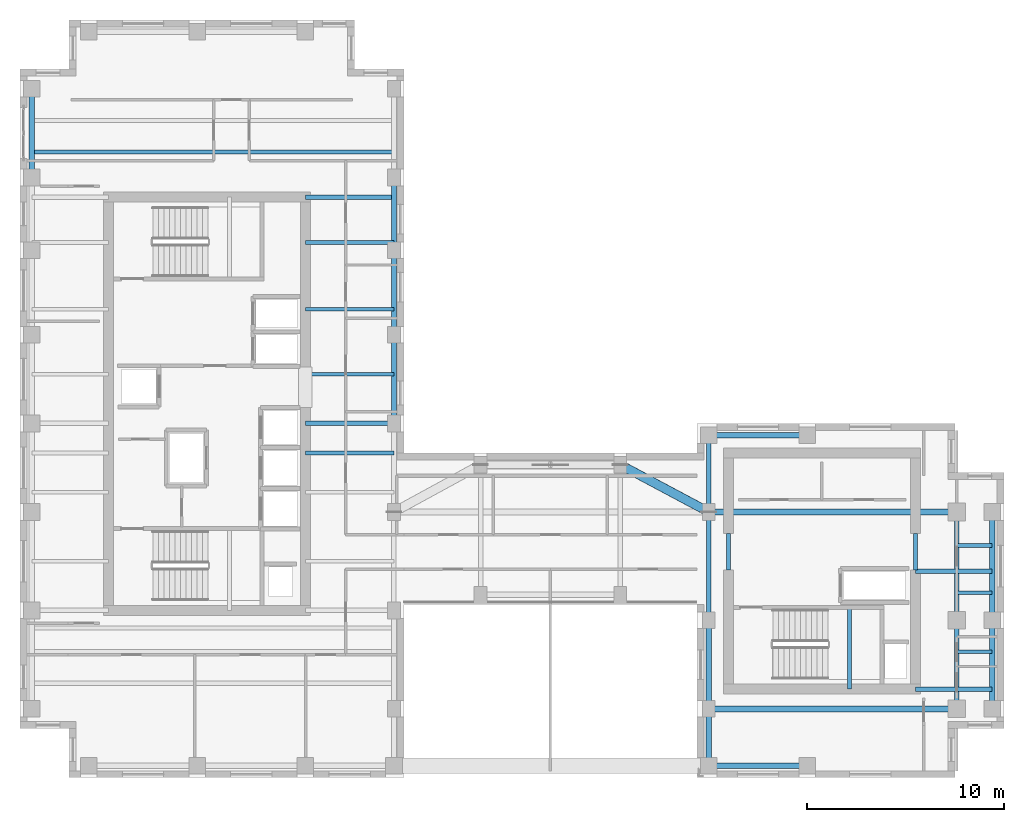
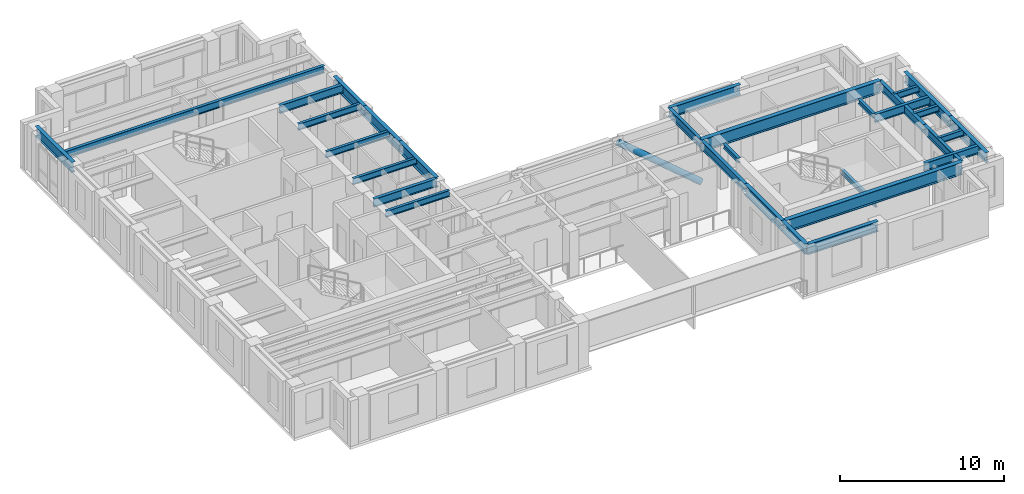
# One storey, part 3 of 12: 31 beams, 1 member.
"""IFC4 building model written with IfcOpenShell, lengths in metres."""

from ifc_helpers import new_model, si_unit, direction, frame, origin, origin_2d, place, context, subcontext, project, spatial, hollow_circle, i_section, extrude, source, transform, mapped, material, material_profile, profile_set, type_object, element, save


model = new_model("IFC4")

# Units and contexts
model_context = context("Model", 3, precision=1e-05, world=origin(), true_north=direction((0.0, 1.0)))
body_context = subcontext(model_context, "Body", "Model", "MODEL_VIEW")
ifc_project = project(units=[si_unit("LENGTHUNIT", "METRE"), si_unit("AREAUNIT", "SQUARE_METRE"), si_unit("VOLUMEUNIT", "CUBIC_METRE"), si_unit("PLANEANGLEUNIT", "RADIAN"), si_unit("MASSUNIT", "GRAM", prefix="KILO")], contexts=[model_context])

# Site, building, storey
site_placement = place(None, origin())
site = spatial("IfcSite", under=ifc_project, at=site_placement, CompositionType="ELEMENT")
building_placement = place(site_placement, origin())
building = spatial("IfcBuilding", under=site, at=building_placement, Name="Kharzan Plaza Tower", CompositionType="ELEMENT")
storey_placement = place(building_placement, frame((0.0, 0.0, 248.39990234375)))
storey = spatial("IfcBuildingStorey", under=building, at=storey_placement, Name="L67", CompositionType="ELEMENT", Elevation=248.39990234375)

# Beams
ifc_material = material(Name="Steel S355", Category="steel")
ifc_material_profile_1 = material_profile(ifc_material, i_section(OverallWidth=0.205078125, OverallDepth=0.35400390625, WebThickness=0.009521484375, FlangeThickness=0.016845703125, at=origin_2d()), Name="W360x79")
ifc_profile_set_1 = profile_set([ifc_material_profile_1], Name="Steel S355")
beam_type_1 = type_object("IfcBeamType", Name="BM-LNT360", PredefinedType="LINTEL", material=ifc_profile_set_1)
shared_shape_1 = source(origin(), body_context, "Body", "SweptSolid", [
    extrude(i_section(OverallWidth=0.205078125, OverallDepth=0.35400390625, WebThickness=0.009521484375, FlangeThickness=0.016845703125, at=origin_2d()), origin(), (0.0, 0.0, 1.0), 1.849853515625),
])
for number, where, z_axis, x_axis, name in (
    (1, (45.5, 10.550048828125, 3.22314453125), (0.0, 1.0, 0.0), (-1.0, 0.0, 0.0), "L67 CORE-B coupling lintel LN1-WE"),
    (2, (36.0, 10.550048828125, 3.22314453125), (0.0, 1.0, 0.0), (-1.0, 0.0, 0.0), "L67 CORE-B coupling lintel LN1-WW"),
):
    element("IfcBeam", number, at=place(storey_placement, frame(where, z_axis=z_axis, x_axis=x_axis)), inside=storey, type_object=beam_type_1, Name=name, PredefinedType="LINTEL", context=body_context, shape_type="MappedRepresentation", body=[
        mapped(shared_shape_1, transform((0.0, 0.0, 0.0), x_axis=(1.0, 0.0, 0.0), y_axis=(0.0, 1.0, 0.0), z_axis=(0.0, 0.0, 1.0))),
    ])
shared_shape_2 = source(origin(), body_context, "Body", "SweptSolid", [
    extrude(i_section(OverallWidth=0.205078125, OverallDepth=0.35400390625, WebThickness=0.009521484375, FlangeThickness=0.016845703125, at=origin_2d()), origin(), (0.0, 0.0, 1.0), 4.155029296875),
])
beam_1_placement = place(storey_placement, frame((42.14990234375, 4.5, 1.423095703125), z_axis=(0.0, 1.0, 0.0), x_axis=(-1.0, 0.0, 0.0)))
element("IfcBeam", 3, at=beam_1_placement, inside=storey, type_object=beam_type_1, Name="L67 Stair ST-3 Half-Landing Beam", PredefinedType="LINTEL", context=body_context, shape_type="MappedRepresentation", body=[
    mapped(shared_shape_2, transform((0.0, 0.0, 0.0), x_axis=(1.0, 0.0, 0.0), y_axis=(0.0, 1.0, 0.0), z_axis=(0.0, 0.0, 1.0))),
])
ifc_material_profile_2 = material_profile(ifc_material, i_section(OverallWidth=0.304931640625, OverallDepth=0.9189453125, WebThickness=0.017333984375, FlangeThickness=0.02783203125, at=origin_2d()), Name="W920x253")
ifc_profile_set_2 = profile_set([ifc_material_profile_2], Name="Steel S355")
beam_type_2 = type_object("IfcBeamType", Name="BM-FG920B", PredefinedType="BEAM", material=ifc_profile_set_2)
shared_shape_3 = source(origin(), body_context, "Body", "SweptSolid", [
    extrude(i_section(OverallWidth=0.304931640625, OverallDepth=0.9189453125, WebThickness=0.017333984375, FlangeThickness=0.02783203125, at=origin_2d()), origin(), (0.0, 0.0, 1.0), 12.60009765625),
])
for number, where, z_axis, x_axis, name in (
    (4, (35.0, 3.5, 2.940673828125), (1.0, 0.0, 0.0), (0.0, 1.0, 0.0), "L67 Primary Floor Girder"),
    (5, (35.0, 13.5, 2.940673828125), (1.0, 0.0, 0.0), (0.0, 1.0, 0.0), "L67 Primary Floor Girder"),
):
    element("IfcBeam", number, at=place(storey_placement, frame(where, z_axis=z_axis, x_axis=x_axis)), inside=storey, type_object=beam_type_2, Name=name, PredefinedType="BEAM", context=body_context, shape_type="MappedRepresentation", body=[
        mapped(shared_shape_3, transform((0.0, 0.0, 0.0), x_axis=(1.0, 0.0, 0.0), y_axis=(0.0, 1.0, 0.0), z_axis=(0.0, 0.0, 1.0))),
    ])
ifc_material_profile_3 = material_profile(ifc_material, i_section(OverallWidth=0.2099609375, OverallDepth=0.537109375, WebThickness=0.010986328125, FlangeThickness=0.017333984375, at=origin_2d()), Name="W530x101")
ifc_profile_set_3 = profile_set([ifc_material_profile_3], Name="Steel S355")
beam_type_3 = type_object("IfcBeamType", Name="BM-JST530B", PredefinedType="JOIST", material=ifc_profile_set_3)
shared_shape_4 = source(origin(), body_context, "Body", "SweptSolid", [
    extrude(i_section(OverallWidth=0.2099609375, OverallDepth=0.537109375, WebThickness=0.010986328125, FlangeThickness=0.017333984375, at=origin_2d()), origin(), (0.0, 0.0, 1.0), 18.39990234375),
])
beam_2_placement = place(storey_placement, frame((0.60009765625, 31.800048828125, 3.131591796875), z_axis=(1.0, 0.0, 0.0), x_axis=(0.0, 1.0, 0.0)))
element("IfcBeam", 6, at=beam_2_placement, inside=storey, type_object=beam_type_3, Name="L67 Wing A Composite Joist 04", PredefinedType="JOIST", context=body_context, shape_type="MappedRepresentation", body=[
    mapped(shared_shape_4, transform((0.0, 0.0, 0.0), x_axis=(1.0, 0.0, 0.0), y_axis=(0.0, 1.0, 0.0), z_axis=(0.0, 0.0, 1.0))),
])
ifc_material_profile_4 = material_profile(ifc_material, i_section(OverallWidth=0.194091796875, OverallDepth=0.468994140625, WebThickness=0.011474609375, FlangeThickness=0.0205078125, at=origin_2d()), Name="W460x106")
ifc_profile_set_4 = profile_set([ifc_material_profile_4], Name="Steel S355")
beam_type_4 = type_object("IfcBeamType", Name="BM-JST460", PredefinedType="JOIST", material=ifc_profile_set_4)
shared_shape_5 = source(origin(), body_context, "Body", "SweptSolid", [
    extrude(i_section(OverallWidth=0.194091796875, OverallDepth=0.468994140625, WebThickness=0.011474609375, FlangeThickness=0.0205078125, at=origin_2d()), origin(), (0.0, 0.0, 1.0), 4.5),
])
for number, where, z_axis, x_axis, name in (
    (7, (14.5, 16.5, 3.16552734375), (1.0, 0.0, 0.0), (0.0, 1.0, 0.0), "L67 Wing A East Infill Joist 3"),
    (8, (14.5, 20.5, 3.16552734375), (1.0, 0.0, 0.0), (0.0, 1.0, 0.0), "L67 Wing A East Infill Joist 4"),
    (9, (14.5, 23.800048828125, 3.16552734375), (1.0, 0.0, 0.0), (0.0, 1.0, 0.0), "L67 Wing A East Infill Joist 5"),
    (10, (14.5, 27.199951171875, 3.16552734375), (1.0, 0.0, 0.0), (0.0, 1.0, 0.0), "L67 Wing A East Infill Joist 6"),
):
    element("IfcBeam", number, at=place(storey_placement, frame(where, z_axis=z_axis, x_axis=x_axis)), inside=storey, type_object=beam_type_4, Name=name, PredefinedType="JOIST", context=body_context, shape_type="MappedRepresentation", body=[
        mapped(shared_shape_5, transform((0.0, 0.0, 0.0), x_axis=(1.0, 0.0, 0.0), y_axis=(0.0, 1.0, 0.0), z_axis=(0.0, 0.0, 1.0))),
    ])
ifc_material_profile_5 = material_profile(ifc_material, i_section(OverallWidth=0.22900390625, OverallDepth=0.612060546875, WebThickness=0.011962890625, FlangeThickness=0.01953125, at=origin_2d()), Name="W610x125")
ifc_profile_set_5 = profile_set([ifc_material_profile_5], Name="Steel S355")
beam_type_5 = type_object("IfcBeamType", Name="BM-FG610B", PredefinedType="BEAM", material=ifc_profile_set_5)
shared_shape_6 = source(origin(), body_context, "Body", "SweptSolid", [
    extrude(i_section(OverallWidth=0.22900390625, OverallDepth=0.612060546875, WebThickness=0.011962890625, FlangeThickness=0.01953125, at=origin_2d()), origin(), (0.0, 0.0, 1.0), 4.5),
])
for number, where, z_axis, x_axis, name in (
    (11, (14.5, 18.0, 3.093994140625), (1.0, 0.0, 0.0), (0.0, 1.0, 0.0), "L67 Core-A East Floor Girder 2"),
    (12, (14.5, 29.5, 3.093994140625), (1.0, 0.0, 0.0), (0.0, 1.0, 0.0), "L67 Core-A East Floor Girder 3"),
    (13, (47.60009765625, 3.5, 3.093994140625), (0.0, 1.0, 0.0), (-1.0, 0.0, 0.0), "L67 Interior Frame Girder"),
):
    element("IfcBeam", number, at=place(storey_placement, frame(where, z_axis=z_axis, x_axis=x_axis)), inside=storey, type_object=beam_type_5, Name=name, PredefinedType="BEAM", context=body_context, shape_type="MappedRepresentation", body=[
        mapped(shared_shape_6, transform((0.0, 0.0, 0.0), x_axis=(1.0, 0.0, 0.0), y_axis=(0.0, 1.0, 0.0), z_axis=(0.0, 0.0, 1.0))),
    ])
shared_shape_7 = source(origin(), body_context, "Body", "SweptSolid", [
    extrude(i_section(OverallWidth=0.22900390625, OverallDepth=0.612060546875, WebThickness=0.011962890625, FlangeThickness=0.01953125, at=origin_2d()), origin(), (0.0, 0.0, 1.0), 3.89990234375),
])
for number, where, z_axis, x_axis, name in (
    (14, (45.5, 4.5, 3.093994140625), (1.0, 0.0, 0.0), (0.0, 1.0, 0.0), "L67 Core-B East Floor Girder 1"),
    (15, (45.5, 10.5, 3.093994140625), (1.0, 0.0, 0.0), (0.0, 1.0, 0.0), "L67 Core-B East Floor Girder 2"),
    (16, (35.0, 13.5, 3.093994140625), (0.0, 1.0, 0.0), (-1.0, 0.0, 0.0), "L67 Interior Frame Girder"),
):
    element("IfcBeam", number, at=place(storey_placement, frame(where, z_axis=z_axis, x_axis=x_axis)), inside=storey, type_object=beam_type_5, Name=name, PredefinedType="BEAM", context=body_context, shape_type="MappedRepresentation", body=[
        mapped(shared_shape_7, transform((0.0, 0.0, 0.0), x_axis=(1.0, 0.0, 0.0), y_axis=(0.0, 1.0, 0.0), z_axis=(0.0, 0.0, 1.0))),
    ])
shared_shape_8 = source(origin(), body_context, "Body", "SweptSolid", [
    extrude(i_section(OverallWidth=0.22900390625, OverallDepth=0.612060546875, WebThickness=0.011962890625, FlangeThickness=0.01953125, at=origin_2d()), origin(), (0.0, 0.0, 1.0), 5.5),
])
for number, where, z_axis, x_axis, name in (
    (17, (35.0, 8.0, 3.093994140625), (0.0, 1.0, 0.0), (-1.0, 0.0, 0.0), "L67 Interior Frame Girder"),
    (18, (47.60009765625, 8.0, 3.093994140625), (0.0, 1.0, 0.0), (-1.0, 0.0, 0.0), "L67 Interior Frame Girder"),
):
    element("IfcBeam", number, at=place(storey_placement, frame(where, z_axis=z_axis, x_axis=x_axis)), inside=storey, type_object=beam_type_5, Name=name, PredefinedType="BEAM", context=body_context, shape_type="MappedRepresentation", body=[
        mapped(shared_shape_8, transform((0.0, 0.0, 0.0), x_axis=(1.0, 0.0, 0.0), y_axis=(0.0, 1.0, 0.0), z_axis=(0.0, 0.0, 1.0))),
    ])
shared_shape_9 = source(origin(), body_context, "Body", "SweptSolid", [
    extrude(i_section(OverallWidth=0.194091796875, OverallDepth=0.468994140625, WebThickness=0.011474609375, FlangeThickness=0.0205078125, at=origin_2d()), origin(), (0.0, 0.0, 1.0), 1.7998046875),
])
for number, where, z_axis, x_axis, name in (
    (19, (47.60009765625, 6.39990234375, 3.16552734375), (1.0, 0.0, 0.0), (0.0, 1.0, 0.0), "L67 Wing B Composite Joist 02"),
    (20, (47.60009765625, 9.39990234375, 3.16552734375), (1.0, 0.0, 0.0), (0.0, 1.0, 0.0), "L67 Wing B Composite Joist 03"),
    (21, (47.60009765625, 11.800048828125, 3.16552734375), (1.0, 0.0, 0.0), (0.0, 1.0, 0.0), "L67 Wing B Composite Joist 04"),
):
    element("IfcBeam", number, at=place(storey_placement, frame(where, z_axis=z_axis, x_axis=x_axis)), inside=storey, type_object=beam_type_4, Name=name, PredefinedType="JOIST", context=body_context, shape_type="MappedRepresentation", body=[
        mapped(shared_shape_9, transform((0.0, 0.0, 0.0), x_axis=(1.0, 0.0, 0.0), y_axis=(0.0, 1.0, 0.0), z_axis=(0.0, 0.0, 1.0))),
    ])
ifc_material_profile_6 = material_profile(ifc_material, i_section(OverallWidth=0.26708984375, OverallDepth=0.76611328125, WebThickness=0.014892578125, FlangeThickness=0.023681640625, at=origin_2d()), Name="W760x185")
ifc_profile_set_6 = profile_set([ifc_material_profile_6], Name="Steel S355")
beam_type_6 = type_object("IfcBeamType", Name="BM-SP760B", PredefinedType="SPANDREL", material=ifc_profile_set_6)
shared_shape_10 = source(origin(), body_context, "Body", "SweptSolid", [
    extrude(i_section(OverallWidth=0.26708984375, OverallDepth=0.76611328125, WebThickness=0.014892578125, FlangeThickness=0.023681640625, at=origin_2d()), origin(), (0.0, 0.0, 1.0), 5.0),
])
for number, where, z_axis, x_axis, name in (
    (22, (35.0, 0.60009765625, 3.01708984375), (1.0, 0.0, 0.0), (0.0, 1.0, 0.0), "L67 Perimeter Tube Spandrel"),
    (23, (35.0, 17.39990234375, 3.01708984375), (1.0, 0.0, 0.0), (0.0, 1.0, 0.0), "L67 Perimeter Tube Spandrel"),
):
    element("IfcBeam", number, at=place(storey_placement, frame(where, z_axis=z_axis, x_axis=x_axis)), inside=storey, type_object=beam_type_6, Name=name, PredefinedType="SPANDREL", context=body_context, shape_type="MappedRepresentation", body=[
        mapped(shared_shape_10, transform((0.0, 0.0, 0.0), x_axis=(1.0, 0.0, 0.0), y_axis=(0.0, 1.0, 0.0), z_axis=(0.0, 0.0, 1.0))),
    ])
shared_shape_11 = source(origin(), body_context, "Body", "SweptSolid", [
    extrude(i_section(OverallWidth=0.26708984375, OverallDepth=0.76611328125, WebThickness=0.014892578125, FlangeThickness=0.023681640625, at=origin_2d()), origin(), (0.0, 0.0, 1.0), 4.5),
])
for number, where, z_axis, x_axis, name in (
    (24, (0.60009765625, 30.5, 3.01708984375), (0.0, 1.0, 0.0), (-1.0, 0.0, 0.0), "L67 Perimeter Tube Spandrel"),
    (25, (19.0, 18.0, 3.01708984375), (0.0, 1.0, 0.0), (-1.0, 0.0, 0.0), "L67 Perimeter Tube Spandrel"),
    (26, (35.0, 3.5, 3.01708984375), (0.0, 1.0, 0.0), (-1.0, 0.0, 0.0), "L67 Perimeter Tube Spandrel"),
    (27, (49.39990234375, 3.5, 3.01708984375), (0.0, 1.0, 0.0), (-1.0, 0.0, 0.0), "L67 Perimeter Tube Spandrel"),
):
    element("IfcBeam", number, at=place(storey_placement, frame(where, z_axis=z_axis, x_axis=x_axis)), inside=storey, type_object=beam_type_6, Name=name, PredefinedType="SPANDREL", context=body_context, shape_type="MappedRepresentation", body=[
        mapped(shared_shape_11, transform((0.0, 0.0, 0.0), x_axis=(1.0, 0.0, 0.0), y_axis=(0.0, 1.0, 0.0), z_axis=(0.0, 0.0, 1.0))),
    ])
shared_shape_12 = source(origin(), body_context, "Body", "SweptSolid", [
    extrude(i_section(OverallWidth=0.26708984375, OverallDepth=0.76611328125, WebThickness=0.014892578125, FlangeThickness=0.023681640625, at=origin_2d()), origin(), (0.0, 0.0, 1.0), 4.300048828125),
])
beam_3_placement = place(storey_placement, frame((19.0, 22.5, 3.01708984375), z_axis=(0.0, 1.0, 0.0), x_axis=(-1.0, 0.0, 0.0)))
element("IfcBeam", 28, at=beam_3_placement, inside=storey, type_object=beam_type_6, Name="L67 Perimeter Tube Spandrel", PredefinedType="SPANDREL", context=body_context, shape_type="MappedRepresentation", body=[
    mapped(shared_shape_12, transform((0.0, 0.0, 0.0), x_axis=(1.0, 0.0, 0.0), y_axis=(0.0, 1.0, 0.0), z_axis=(0.0, 0.0, 1.0))),
])
shared_shape_13 = source(origin(), body_context, "Body", "SweptSolid", [
    extrude(i_section(OverallWidth=0.26708984375, OverallDepth=0.76611328125, WebThickness=0.014892578125, FlangeThickness=0.023681640625, at=origin_2d()), origin(), (0.0, 0.0, 1.0), 3.699951171875),
])
beam_4_placement = place(storey_placement, frame((19.0, 26.800048828125, 3.01708984375), z_axis=(0.0, 1.0, 0.0), x_axis=(-1.0, 0.0, 0.0)))
element("IfcBeam", 29, at=beam_4_placement, inside=storey, type_object=beam_type_6, Name="L67 Perimeter Tube Spandrel", PredefinedType="SPANDREL", context=body_context, shape_type="MappedRepresentation", body=[
    mapped(shared_shape_13, transform((0.0, 0.0, 0.0), x_axis=(1.0, 0.0, 0.0), y_axis=(0.0, 1.0, 0.0), z_axis=(0.0, 0.0, 1.0))),
])
shared_shape_14 = source(origin(), body_context, "Body", "SweptSolid", [
    extrude(i_section(OverallWidth=0.26708984375, OverallDepth=0.76611328125, WebThickness=0.014892578125, FlangeThickness=0.023681640625, at=origin_2d()), origin(), (0.0, 0.0, 1.0), 2.89990234375),
])
beam_5_placement = place(storey_placement, frame((35.0, 0.60009765625, 3.01708984375), z_axis=(0.0, 1.0, 0.0), x_axis=(-1.0, 0.0, 0.0)))
element("IfcBeam", 30, at=beam_5_placement, inside=storey, type_object=beam_type_6, Name="L67 Perimeter Tube Spandrel", PredefinedType="SPANDREL", context=body_context, shape_type="MappedRepresentation", body=[
    mapped(shared_shape_14, transform((0.0, 0.0, 0.0), x_axis=(1.0, 0.0, 0.0), y_axis=(0.0, 1.0, 0.0), z_axis=(0.0, 0.0, 1.0))),
])
shared_shape_15 = source(origin(), body_context, "Body", "SweptSolid", [
    extrude(i_section(OverallWidth=0.26708984375, OverallDepth=0.76611328125, WebThickness=0.014892578125, FlangeThickness=0.023681640625, at=origin_2d()), origin(), (0.0, 0.0, 1.0), 5.5),
])
beam_6_placement = place(storey_placement, frame((49.39990234375, 8.0, 3.01708984375), z_axis=(0.0, 1.0, 0.0), x_axis=(-1.0, 0.0, 0.0)))
element("IfcBeam", 31, at=beam_6_placement, inside=storey, type_object=beam_type_6, Name="L67 Perimeter Tube Spandrel", PredefinedType="SPANDREL", context=body_context, shape_type="MappedRepresentation", body=[
    mapped(shared_shape_15, transform((0.0, 0.0, 0.0), x_axis=(1.0, 0.0, 0.0), y_axis=(0.0, 1.0, 0.0), z_axis=(0.0, 0.0, 1.0))),
])

# Member
ifc_material_profile_7 = material_profile(ifc_material, hollow_circle(Radius=0.228515625, WallThickness=0.01611328125, at=origin_2d()), Name="CHS457x16")
ifc_profile_set_7 = profile_set([ifc_material_profile_7], Name="Steel S355")
member_type = type_object("IfcMemberType", Name="MEM-WP-STRUT", PredefinedType="STRUT", material=ifc_profile_set_7)
shared_shape_16 = source(origin(), body_context, "Body", "SweptSolid", [
    extrude(hollow_circle(Radius=0.228515625, WallThickness=0.01611328125, at=origin_2d()), origin(), (0.0, 0.0, 1.0), 5.957763671875),
])
member_placement = place(storey_placement, frame((35.0, 13.5, 0.2001953125), z_axis=(-0.755317387784, 0.402819548715, 0.51694492442), x_axis=(-0.470573327259, -0.882360891967, 0.0)))
element("IfcMember", 32, at=member_placement, inside=storey, type_object=member_type, Name="L67 Wind Portal Frame V-Strut East", PredefinedType="STRUT", context=body_context, shape_type="MappedRepresentation", body=[
    mapped(shared_shape_16, transform((0.0, 0.0, 0.0), x_axis=(1.0, 0.0, 0.0), y_axis=(0.0, 1.0, 0.0), z_axis=(0.0, 0.0, 1.0))),
])

save(model, "model.ifc")
